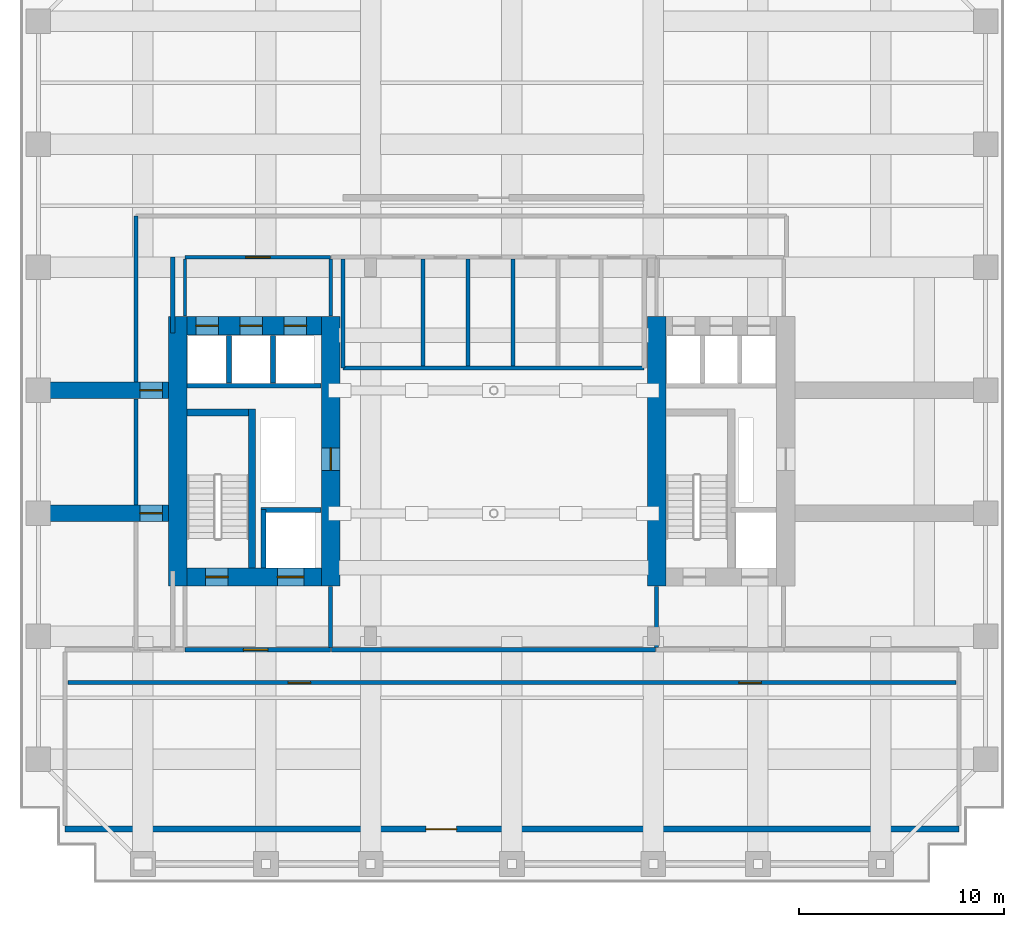
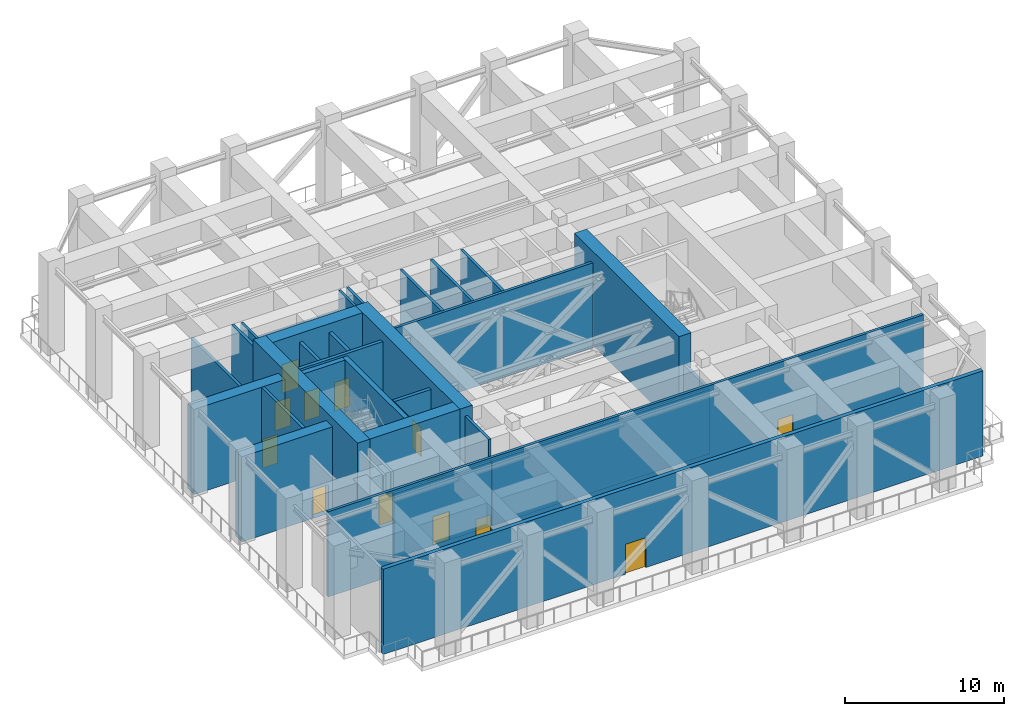
# One storey, part 4 of 10: 31 walls, 13 doors, 13 openings.
"""IFC4 building model written with IfcOpenShell, lengths in metres."""

import ifcopenshell
import ifcopenshell.guid

model = None  # the IFC model being written
_history = None  # IfcOwnerHistory: only IFC2X3 demands one
_inside = {}  # id of a spatial element -> (the spatial element, [elements in it])
_under = {}  # id of a project, library or spatial element -> (it, [spatial elements below it])
_declared = {}  # id of a project -> (the project, [libraries it declares])
_typed = {}  # id of a type object -> (the type object, [elements of that type])
_made_of = {}  # id of a material, layer set ... -> (it, [elements and type objects made of it])


def new_model(schema):
    """Start an empty IFC model of exactly this schema.

    Asked for "IFC4X3", IfcOpenShell would pick the latest addendum, in which some entities
    have other attributes; the version numbers below select the first issue.
    IFC2X3 requires an IfcOwnerHistory on every rooted entity: one is made here for all.
    """
    global model, _history
    if schema == "IFC4X3":
        model = ifcopenshell.file(schema_version=(4, 3, 0, 0))
    else:
        model = ifcopenshell.file(schema=schema)
    _inside.clear()
    _under.clear()
    _declared.clear()
    _typed.clear()
    _made_of.clear()
    _history = None
    if model.schema == "IFC2X3":
        org = make("IfcOrganization", Name="unknown")
        user = make(
            "IfcPersonAndOrganization",
            ThePerson=make("IfcPerson", FamilyName="unknown"),
            TheOrganization=org,
        )
        app = make(
            "IfcApplication",
            ApplicationDeveloper=org,
            Version="unknown",
            ApplicationFullName="unknown",
            ApplicationIdentifier="unknown",
        )
        _history = make(
            "IfcOwnerHistory",
            OwningUser=user,
            OwningApplication=app,
            ChangeAction="ADDED",
            CreationDate=0,
        )
    return model


def make(cls, **values):
    """One entity of the class cls with the attributes given. An attribute that is None is left unset."""
    return model.create_entity(
        cls, **{name: value for name, value in values.items() if value is not None}
    )


def rooted(cls, **values):
    """An entity with a GlobalId (a new one), such as an element, a storey or a relation."""
    return make(cls, GlobalId=ifcopenshell.guid.new(), OwnerHistory=_history, **values)


def si_unit(unit_type, name, prefix=None):
    """IfcSIUnit, for example si_unit("LENGTHUNIT", "METRE", prefix="MILLI")."""
    return make("IfcSIUnit", UnitType=unit_type, Prefix=prefix, Name=name)


def assignment(units):
    """IfcUnitAssignment: the units of a project."""
    return None if units is None else make("IfcUnitAssignment", Units=units)


def point(xyz):
    """IfcCartesianPoint."""
    return None if xyz is None else make("IfcCartesianPoint", Coordinates=xyz)


def direction(xyz):
    """IfcDirection."""
    return None if xyz is None else make("IfcDirection", DirectionRatios=xyz)


def frame(location, z_axis=None, x_axis=None):
    """IfcAxis2Placement3D, a coordinate frame: its origin and axes. An axis left out is left unset."""
    return make(
        "IfcAxis2Placement3D",
        Location=point(location),
        Axis=direction(z_axis),
        RefDirection=direction(x_axis),
    )


def frame_2d(location, x_axis=None):
    """IfcAxis2Placement2D, a coordinate frame in the plane: its origin and x axis."""
    return make(
        "IfcAxis2Placement2D", Location=point(location), RefDirection=direction(x_axis)
    )


def origin():
    """The frame at (0, 0, 0) with its axes left unset."""
    return frame((0.0, 0.0, 0.0))


def place(relative_to, where):
    """IfcLocalPlacement: puts the frame where relative to a parent placement (None: the world)."""
    return make(
        "IfcLocalPlacement", PlacementRelTo=relative_to, RelativePlacement=where
    )


def context(
    kind, dimensions, precision=None, world=None, true_north=None, identifier=None
):
    """IfcGeometricRepresentationContext, for example the 3D "Model" context."""
    return make(
        "IfcGeometricRepresentationContext",
        ContextIdentifier=identifier,
        ContextType=kind,
        CoordinateSpaceDimension=dimensions,
        Precision=precision,
        WorldCoordinateSystem=world,
        TrueNorth=true_north,
    )


def subcontext(parent, identifier, kind, view, scale=None):
    """IfcGeometricRepresentationSubContext, for example "Body" below "Model"."""
    return make(
        "IfcGeometricRepresentationSubContext",
        ContextIdentifier=identifier,
        ContextType=kind,
        ParentContext=parent,
        TargetScale=scale,
        TargetView=view,
    )


def project(units=None, contexts=None):
    """IfcProject with its units and contexts."""
    return rooted(
        "IfcProject",
        Name="project",
        RepresentationContexts=contexts,
        UnitsInContext=assignment(units),
    )


def spatial(cls, under=None, at=None, **own):
    """A site, building, storey or space (cls), placed at a placement, below another one or the project."""
    s = rooted(cls, ObjectPlacement=at, **own)
    if under is not None:
        _under.setdefault(under.id(), (under, []))[1].append(s)
    return s


def profile(cls, at=None, kind="AREA", **sizes):
    """A parametric profile (cls). Its sizes go by their IFC names, for example OverallWidth=200.0."""
    return make(cls, ProfileType=kind, Position=at, **sizes)


def rectangle(**sizes):
    """IfcRectangleProfileDef."""
    return profile("IfcRectangleProfileDef", **sizes)


def extrude(swept, where, along, depth):
    """IfcExtrudedAreaSolid: the profile swept, set in the frame where, extruded along a direction by depth."""
    return make(
        "IfcExtrudedAreaSolid",
        SweptArea=swept,
        Position=where,
        ExtrudedDirection=direction(along),
        Depth=depth,
    )


def shape(context_of_items, identifier, shape_type, items):
    """IfcShapeRepresentation: the items that make up one representation, for example the "Body"."""
    return make(
        "IfcShapeRepresentation",
        ContextOfItems=context_of_items,
        RepresentationIdentifier=identifier,
        RepresentationType=shape_type,
        Items=items,
    )


def source(mapping_origin, context_of_items, identifier, shape_type, items):
    """IfcRepresentationMap: a shape defined once, which mapped items show again and again."""
    return make(
        "IfcRepresentationMap",
        MappingOrigin=mapping_origin,
        MappedRepresentation=shape(context_of_items, identifier, shape_type, items),
    )


def transform(
    local_origin,
    x_axis=None,
    y_axis=None,
    z_axis=None,
    scale=None,
    scale2=None,
    scale3=None,
    uniform=True,
):
    """IfcCartesianTransformationOperator3D, or its non-uniform kind. x_axis, y_axis, z_axis: its Axis1, 2, 3."""
    if uniform:
        return make(
            "IfcCartesianTransformationOperator3D",
            Axis1=direction(x_axis),
            Axis2=direction(y_axis),
            LocalOrigin=point(local_origin),
            Scale=scale,
            Axis3=direction(z_axis),
        )
    return make(
        "IfcCartesianTransformationOperator3DnonUniform",
        Axis1=direction(x_axis),
        Axis2=direction(y_axis),
        LocalOrigin=point(local_origin),
        Scale=scale,
        Axis3=direction(z_axis),
        Scale2=scale2,
        Scale3=scale3,
    )


def mapped(mapping_source, mapping_target):
    """IfcMappedItem: shows the shape of a source again, moved by a transform."""
    return make(
        "IfcMappedItem", MappingSource=mapping_source, MappingTarget=mapping_target
    )


def material(Name=None, Category=None):
    """IfcMaterial."""
    return make("IfcMaterial", Name=Name, Category=Category)


def layer(
    of_material, thickness, ventilated=None, Name=None, Category=None, Priority=None
):
    """IfcMaterialLayer: one layer of a wall or slab, of a material (None: an air gap)."""
    return make(
        "IfcMaterialLayer",
        Material=of_material,
        LayerThickness=thickness,
        IsVentilated=ventilated,
        Name=Name,
        Category=Category,
        Priority=Priority,
    )


def layer_set(layers, Name=None):
    """IfcMaterialLayerSet."""
    return make("IfcMaterialLayerSet", MaterialLayers=layers, LayerSetName=Name)


def made_of(thing, what):
    """Note that an element or type object is made of a material, layer set ...; save() writes the relation."""
    if what is not None:
        _made_of.setdefault(what.id(), (what, []))[1].append(thing)
    return thing


def type_object(cls, material=None, **own):
    """A type object (cls), such as IfcWallType, which elements share."""
    return made_of(rooted(cls, **own), material)


def element(
    cls,
    number,
    at=None,
    inside=None,
    cuts=None,
    type_object=None,
    material=None,
    context=None,
    identifier="Body",
    shape_type=None,
    held_by="IfcProductDefinitionShape",
    body=None,
    shapes=None,
    **own,
):
    """One element of the class cls, such as IfcWall. Its Tag is "e" and its number.

    at: its placement. inside: the storey or other place that contains it. cuts: it is an
    opening in that element (IfcRelVoidsElement). A single representation is given by context,
    identifier, shape_type and body (its items); several are given by shapes. held_by: the class
    of the entity that holds the representations. save() writes the other relations.
    """
    e = rooted(cls, Tag="e%d" % number, ObjectPlacement=at, **own)
    if body is not None:
        shapes = [shape(context, identifier, shape_type, body)]
    if shapes is not None:
        e.Representation = make(held_by, Representations=shapes)
    if inside is not None:
        _inside.setdefault(inside.id(), (inside, []))[1].append(e)
    if cuts is not None:
        rooted(
            "IfcRelVoidsElement", RelatingBuildingElement=cuts, RelatedOpeningElement=e
        )
    if type_object is not None:
        _typed.setdefault(type_object.id(), (type_object, []))[1].append(e)
    return made_of(e, material)


def fill(opening, filler):
    """IfcRelFillsElement: the door or window that sits in an opening."""
    return rooted(
        "IfcRelFillsElement",
        RelatingOpeningElement=opening,
        RelatedBuildingElement=filler,
    )


def aggregate(whole, parts):
    """IfcRelAggregates: a whole, such as a stair, and the parts it consists of."""
    return rooted("IfcRelAggregates", RelatingObject=whole, RelatedObjects=parts)


def save(model, path):
    """Write the relations noted so far, then the file.

    IfcRelAggregates (storeys below a building ...), IfcRelContainedInSpatialStructure (elements
    in a storey), IfcRelDefinesByType, IfcRelAssociatesMaterial and IfcRelDeclares: one each for
    every whole, place, type object, material and project.
    """
    for whole, parts in _under.values():
        aggregate(whole, parts)
    for where, things in _inside.values():
        rooted(
            "IfcRelContainedInSpatialStructure",
            RelatedElements=things,
            RelatingStructure=where,
        )
    for kind, things in _typed.values():
        rooted("IfcRelDefinesByType", RelatedObjects=things, RelatingType=kind)
    for what, things in _made_of.values():
        rooted("IfcRelAssociatesMaterial", RelatedObjects=things, RelatingMaterial=what)
    for by, libraries in _declared.values():
        rooted("IfcRelDeclares", RelatingContext=by, RelatedDefinitions=libraries)
    model.write(path)


model = new_model("IFC4")

# Units and contexts
model_context = context("Model", 3, precision=1e-05, world=origin(), true_north=direction((0.0, 1.0)))
body_context = subcontext(model_context, "Body", "Model", "MODEL_VIEW")
ifc_project = project(units=[si_unit("LENGTHUNIT", "METRE"), si_unit("AREAUNIT", "SQUARE_METRE"), si_unit("VOLUMEUNIT", "CUBIC_METRE"), si_unit("PLANEANGLEUNIT", "RADIAN"), si_unit("MASSUNIT", "GRAM", prefix="KILO")], contexts=[model_context])

# Site, building, storey
site_placement = place(None, origin())
site = spatial("IfcSite", under=ifc_project, at=site_placement, CompositionType="ELEMENT")
building_placement = place(site_placement, origin())
building = spatial("IfcBuilding", under=site, at=building_placement, Name="Khoralis Quay Care Tower", CompositionType="ELEMENT")
storey_placement = place(building_placement, frame((0.0, 0.0, 76.5)))
storey = spatial("IfcBuildingStorey", under=building, at=storey_placement, Name="L20", CompositionType="ELEMENT", Elevation=76.5)

# Wall, opening, door
ifc_material_1 = material(Name="Gypsum plasterboard on acoustic metal stud")
ifc_layer_1 = layer(ifc_material_1, 0.199951171875)
ifc_layer_set_1 = layer_set([ifc_layer_1], Name="Gypsum plasterboard on acoustic metal stud")
wall_type_1 = type_object("IfcWallType", Name="WL-COMP-200", PredefinedType="PARTITIONING", material=ifc_layer_set_1)
wall_1_placement = place(storey_placement, frame((8.050048828125, 11.35009765625, 0.0), z_axis=(0.0, 0.0, 1.0), x_axis=(1.0, 0.0, 0.0)))
wall_1 = element("IfcWall", 1, at=wall_1_placement, inside=storey, type_object=wall_type_1, Name="L20 West Firefighting Lobby South Wall", PredefinedType="PARTITIONING", context=body_context, shape_type="SweptSolid", body=[
    extrude(rectangle(XDim=7.099853515625, YDim=0.199951171875, at=frame_2d((3.5498046875, 0.0))), origin(), (0.0, 0.0, 1.0), 4.949951171875),
])
opening_1_placement = place(wall_1_placement, frame((2.846435546875, 0.0, 0.0)))
opening_1 = element("IfcOpeningElement", 2, at=opening_1_placement, cuts=wall_1, Name="Opening FD1", PredefinedType="OPENING", context=body_context, shape_type="SweptSolid", body=[
    extrude(rectangle(XDim=1.199951171875, YDim=2.199951171875, at=frame_2d((0.60009765625, 1.10009765625))), frame((0.0, 0.10986328125, 0.0), z_axis=(0.0, -1.0, 0.0), x_axis=(1.0, 0.0, 0.0)), (0.0, 0.0, 1.0), 0.219970703125),
])
ifc_material_2 = material(Name="Fire-rated painted steel", Category="steel")
door_type_1 = type_object("IfcDoorType", Name="DR-FFL-1200X2200", OperationType="NOTDEFINED", PredefinedType="DOOR", material=ifc_material_2)
shared_shape_1 = source(origin(), body_context, "Body", "SweptSolid", [
    extrude(rectangle(XDim=1.199951171875, YDim=2.199951171875, at=frame_2d((0.60009765625, 1.10009765625))), frame((0.0, 0.02490234375, 0.0), z_axis=(0.0, -1.0, 0.0), x_axis=(1.0, 0.0, 0.0)), (0.0, 0.0, 1.0), 0.050048828125),
])
door_1_placement = place(opening_1_placement, origin())
door_1 = element("IfcDoor", 3, at=door_1_placement, inside=storey, type_object=door_type_1, Name="L20 West Firefighting Lobby Fire Door", OperationType="SINGLE_SWING_RIGHT", OverallHeight=2.199951171875, OverallWidth=1.199951171875, PredefinedType="DOOR", context=body_context, shape_type="MappedRepresentation", body=[
    mapped(shared_shape_1, transform((0.0, 0.0, 0.0), scale=1.0)),
])
fill(opening_1, door_1)

# Walls
wall_2_placement = place(storey_placement, frame((15.14990234375, 11.469970703125, 0.0), z_axis=(0.0, 0.0, 1.0), x_axis=(0.0, 1.0, 0.0)))
element("IfcWall", 4, at=wall_2_placement, inside=storey, type_object=wall_type_1, Name="L20 West Firefighting Lobby East Wall", PredefinedType="PARTITIONING", context=body_context, shape_type="SweptSolid", body=[
    extrude(rectangle(XDim=2.9599609375, YDim=0.199951171875, at=frame_2d((1.47998046875, 0.0))), origin(), (0.0, 0.0, 1.0), 6.550048828125),
])
wall_3_placement = place(storey_placement, frame((31.050048828125, 11.469970703125, 0.0), z_axis=(0.0, 0.0, 1.0), x_axis=(0.0, 1.0, 0.0)))
element("IfcWall", 5, at=wall_3_placement, inside=storey, type_object=wall_type_1, Name="L20 East Firefighting Lobby West Wall", PredefinedType="PARTITIONING", context=body_context, shape_type="SweptSolid", body=[
    extrude(rectangle(XDim=2.9599609375, YDim=0.199951171875, at=frame_2d((1.47998046875, 0.0))), origin(), (0.0, 0.0, 1.0), 4.949951171875),
])
wall_4_placement = place(storey_placement, frame((15.199951171875, 11.35009765625, 0.0), z_axis=(0.0, 0.0, 1.0), x_axis=(1.0, 0.0, 0.0)))
element("IfcWall", 6, at=wall_4_placement, inside=storey, type_object=wall_type_1, Name="L20 Refuge Corridor Mid Wall", PredefinedType="PARTITIONING", context=body_context, shape_type="SweptSolid", body=[
    extrude(rectangle(XDim=15.800048828125, YDim=0.199951171875, at=frame_2d((7.89990234375, 0.0))), origin(), (0.0, 0.0, 1.0), 4.949951171875),
])

# Wall, openings, doors
wall_5_placement = place(storey_placement, frame((2.35009765625, 9.75, 0.0), z_axis=(0.0, 0.0, 1.0), x_axis=(1.0, 0.0, 0.0)))
wall_5 = element("IfcWall", 7, at=wall_5_placement, inside=storey, type_object=wall_type_1, Name="L20 Refuge Corridor Wall", PredefinedType="PARTITIONING", context=body_context, shape_type="SweptSolid", body=[
    extrude(rectangle(XDim=43.2998046875, YDim=0.199951171875, at=frame_2d((21.64990234375, 0.0))), origin(), (0.0, 0.0, 1.0), 6.550048828125),
])
opening_2_placement = place(wall_5_placement, frame((10.72998046875, 0.0, 0.0)))
opening_2 = element("IfcOpeningElement", 8, at=opening_2_placement, cuts=wall_5, Name="Opening SD1", PredefinedType="OPENING", context=body_context, shape_type="SweptSolid", body=[
    extrude(rectangle(XDim=1.10009765625, YDim=2.199951171875, at=frame_2d((0.550048828125, 1.10009765625))), frame((0.0, 0.10986328125, 0.0), z_axis=(0.0, -1.0, 0.0), x_axis=(1.0, 0.0, 0.0)), (0.0, 0.0, 1.0), 0.219970703125),
])
opening_3_placement = place(wall_5_placement, frame((32.71435546875, 0.0, 0.0)))
opening_3 = element("IfcOpeningElement", 9, at=opening_3_placement, cuts=wall_5, Name="Opening SD1", PredefinedType="OPENING", context=body_context, shape_type="SweptSolid", body=[
    extrude(rectangle(XDim=1.10009765625, YDim=2.199951171875, at=frame_2d((0.550048828125, 1.10009765625))), frame((0.0, 0.10986328125, 0.0), z_axis=(0.0, -1.0, 0.0), x_axis=(1.0, 0.0, 0.0)), (0.0, 0.0, 1.0), 0.219970703125),
])
door_type_2 = type_object("IfcDoorType", Name="DR-STAIR-1100X2200", OperationType="NOTDEFINED", PredefinedType="DOOR", material=ifc_material_2)
shared_shape_2 = source(origin(), body_context, "Body", "SweptSolid", [
    extrude(rectangle(XDim=1.10009765625, YDim=2.199951171875, at=frame_2d((0.550048828125, 1.10009765625))), frame((0.0, 0.02490234375, 0.0), z_axis=(0.0, -1.0, 0.0), x_axis=(1.0, 0.0, 0.0)), (0.0, 0.0, 1.0), 0.050048828125),
])
door_2_placement = place(opening_2_placement, frame((1.10009765625, 0.0, 0.0), z_axis=(0.0, 0.0, 1.0), x_axis=(-1.0, 0.0, 0.0)))
door_2 = element("IfcDoor", 10, at=door_2_placement, inside=storey, type_object=door_type_2, Name="L20 Refuge Area West Fire Door", OperationType="SINGLE_SWING_LEFT", OverallHeight=2.199951171875, OverallWidth=1.10009765625, PredefinedType="DOOR", context=body_context, shape_type="MappedRepresentation", body=[
    mapped(shared_shape_2, transform((0.0, 0.0, 0.0), scale=1.0)),
])
fill(opening_2, door_2)
door_3_placement = place(opening_3_placement, frame((1.10009765625, 0.0, 0.0), z_axis=(0.0, 0.0, 1.0), x_axis=(-1.0, 0.0, 0.0)))
door_3 = element("IfcDoor", 11, at=door_3_placement, inside=storey, type_object=door_type_2, Name="L20 Refuge Area East Fire Door", OperationType="SINGLE_SWING_RIGHT", OverallHeight=2.199951171875, OverallWidth=1.10009765625, PredefinedType="DOOR", context=body_context, shape_type="MappedRepresentation", body=[
    mapped(shared_shape_2, transform((0.0, 0.0, 0.0), scale=1.0)),
])
fill(opening_3, door_3)

# Walls
wall_6_placement = place(storey_placement, frame((15.75, 25.10009765625, 0.0), z_axis=(0.0, 0.0, 1.0), x_axis=(1.0, 0.0, 0.0)))
element("IfcWall", 12, at=wall_6_placement, inside=storey, type_object=wall_type_1, Name="L20 Plant Bank South Wall", PredefinedType="PARTITIONING", context=body_context, shape_type="SweptSolid", body=[
    extrude(rectangle(XDim=14.699951171875, YDim=0.199951171875, at=frame_2d((7.35009765625, 0.0))), origin(), (0.0, 0.0, 1.0), 6.550048828125),
])
wall_7_placement = place(storey_placement, frame((15.75, 25.10009765625, 0.0), z_axis=(0.0, 0.0, 1.0), x_axis=(0.0, 1.0, 0.0)))
element("IfcWall", 13, at=wall_7_placement, inside=storey, type_object=wall_type_1, Name="L20 Plant Bank West Wall", PredefinedType="PARTITIONING", context=body_context, shape_type="SweptSolid", body=[
    extrude(rectangle(XDim=5.31982421875, YDim=0.199951171875, at=frame_2d((2.659912109375, 0.0))), origin(), (0.0, 0.0, 1.0), 6.550048828125),
])
for number, where, z_axis, x_axis, name in (
    (14, (19.64990234375, 25.179931640625, 0.0), (0.0, 0.0, 1.0), (0.0, 1.0, 0.0), "L20 Plant Room Divider 1"),
    (15, (21.85009765625, 25.179931640625, 0.0), (0.0, 0.0, 1.0), (0.0, 1.0, 0.0), "L20 Plant Room Divider 2"),
    (16, (24.050048828125, 25.179931640625, 0.0), (0.0, 0.0, 1.0), (0.0, 1.0, 0.0), "L20 Plant Room Divider 3"),
):
    element("IfcWall", number, at=place(storey_placement, frame(where, z_axis=z_axis, x_axis=x_axis)), inside=storey, type_object=wall_type_1, Name=name, PredefinedType="PARTITIONING", context=body_context, shape_type="SweptSolid", body=[
        extrude(rectangle(XDim=5.239990234375, YDim=0.199951171875, at=frame_2d((2.6201171875, 0.0))), origin(), (0.0, 0.0, 1.0), 6.550048828125),
    ])
wall_8_placement = place(storey_placement, frame((5.64990234375, 18.419921875, 0.0), z_axis=(0.0, 0.0, 1.0), x_axis=(0.0, 1.0, 0.0)))
element("IfcWall", 17, at=wall_8_placement, inside=storey, type_object=wall_type_1, Name="L20 West Refuge Link Wall 2", PredefinedType="PARTITIONING", context=body_context, shape_type="SweptSolid", body=[
    extrude(rectangle(XDim=5.16015625, YDim=0.199951171875, at=frame_2d((2.580078125, 0.0))), origin(), (0.0, 0.0, 1.0), 6.550048828125),
])
wall_9_placement = place(storey_placement, frame((5.64990234375, 24.419921875, 0.0), z_axis=(0.0, 0.0, 1.0), x_axis=(0.0, 1.0, 0.0)))
element("IfcWall", 18, at=wall_9_placement, inside=storey, type_object=wall_type_1, Name="L20 West Refuge Link Wall 3", PredefinedType="PARTITIONING", context=body_context, shape_type="SweptSolid", body=[
    extrude(rectangle(XDim=8.080078125, YDim=0.199951171875, at=frame_2d((4.0400390625, 0.0))), origin(), (0.0, 0.0, 1.0), 4.949951171875),
])
wall_10_placement = place(storey_placement, frame((7.449951171875, 26.800048828125, 0.0), z_axis=(0.0, 0.0, 1.0), x_axis=(0.0, 1.0, 0.0)))
element("IfcWall", 19, at=wall_10_placement, inside=storey, type_object=wall_type_1, Name="L20 West Refuge Link Inner Wall 3", PredefinedType="PARTITIONING", context=body_context, shape_type="SweptSolid", body=[
    extrude(rectangle(XDim=3.699951171875, YDim=0.199951171875, at=frame_2d((1.85009765625, 0.0))), origin(), (0.0, 0.0, 1.0), 6.550048828125),
])
ifc_material_3 = material(Name="Concrete C80/95", Category="concrete")
ifc_layer_2 = layer(ifc_material_3, 0.89990234375)
ifc_layer_set_2 = layer_set([ifc_layer_2], Name="Concrete C80/95")
wall_type_2 = type_object("IfcWallType", Name="WL-CORE-900", PredefinedType="SHEAR", material=ifc_layer_set_2)
wall_11_placement = place(storey_placement, frame((7.699951171875, 14.449951171875, 0.0), z_axis=(0.0, 0.0, 1.0), x_axis=(0.0, 1.0, 0.0)))
element("IfcWall", 20, at=wall_11_placement, inside=storey, type_object=wall_type_2, Name="L20 WCORE West Shear Wall", PredefinedType="SHEAR", context=body_context, shape_type="SweptSolid", body=[
    extrude(rectangle(XDim=13.150146484375, YDim=0.89990234375, at=frame_2d((6.5751953125, 0.0))), origin(), (0.0, 0.0, 1.0), 7.199951171875),
])

# Wall, opening, door
wall_12_placement = place(storey_placement, frame((15.14990234375, 14.449951171875, 0.0), z_axis=(0.0, 0.0, 1.0), x_axis=(0.0, 1.0, 0.0)))
wall_12 = element("IfcWall", 21, at=wall_12_placement, inside=storey, type_object=wall_type_2, Name="L20 WCORE East Shear Wall", PredefinedType="SHEAR", context=body_context, shape_type="SweptSolid", body=[
    extrude(rectangle(XDim=13.150146484375, YDim=0.89990234375, at=frame_2d((6.5751953125, 0.0))), origin(), (0.0, 0.0, 1.0), 7.199951171875),
])
opening_4_placement = place(wall_12_placement, frame((5.64990234375, 0.0, 0.0)))
opening_4 = element("IfcOpeningElement", 22, at=opening_4_placement, cuts=wall_12, Name="Opening SD1", PredefinedType="OPENING", context=body_context, shape_type="SweptSolid", body=[
    extrude(rectangle(XDim=1.10009765625, YDim=2.199951171875, at=frame_2d((0.550048828125, 1.10009765625))), frame((0.0, 0.4599609375, 0.0), z_axis=(0.0, -1.0, 0.0), x_axis=(1.0, 0.0, 0.0)), (0.0, 0.0, 1.0), 0.919921875),
])
door_4_placement = place(opening_4_placement, origin())
door_4 = element("IfcDoor", 23, at=door_4_placement, inside=storey, type_object=door_type_2, Name="L20 West MEP Riser Door", OperationType="SINGLE_SWING_RIGHT", OverallHeight=2.199951171875, OverallWidth=1.10009765625, PredefinedType="DOOR", context=body_context, shape_type="MappedRepresentation", body=[
    mapped(shared_shape_2, transform((0.0, 0.0, 0.0), scale=1.0)),
])
fill(opening_4, door_4)

# Wall, openings, doors
wall_13_placement = place(storey_placement, frame((8.14990234375, 14.89990234375, 0.0), z_axis=(0.0, 0.0, 1.0), x_axis=(1.0, 0.0, 0.0)))
wall_13 = element("IfcWall", 24, at=wall_13_placement, inside=storey, type_object=wall_type_2, Name="L20 WCORE South Shear Wall", PredefinedType="SHEAR", context=body_context, shape_type="SweptSolid", body=[
    extrude(rectangle(XDim=6.550048828125, YDim=0.89990234375, at=frame_2d((3.27490234375, 0.0))), origin(), (0.0, 0.0, 1.0), 7.199951171875),
])
opening_5_placement = place(wall_13_placement, frame((0.89990234375, 0.0, 0.0)))
opening_5 = element("IfcOpeningElement", 25, at=opening_5_placement, cuts=wall_13, Name="Opening SD1", PredefinedType="OPENING", context=body_context, shape_type="SweptSolid", body=[
    extrude(rectangle(XDim=1.10009765625, YDim=2.199951171875, at=frame_2d((0.550048828125, 1.10009765625))), frame((0.0, 0.4599609375, 0.0), z_axis=(0.0, -1.0, 0.0), x_axis=(1.0, 0.0, 0.0)), (0.0, 0.0, 1.0), 0.919921875),
])
opening_6_placement = place(wall_13_placement, frame((4.39990234375, 0.0, 0.0)))
opening_6 = element("IfcOpeningElement", 26, at=opening_6_placement, cuts=wall_13, Name="Opening LD2", PredefinedType="OPENING", context=body_context, shape_type="SweptSolid", body=[
    extrude(rectangle(XDim=1.300048828125, YDim=2.199951171875, at=frame_2d((0.64990234375, 1.10009765625))), frame((0.0, 0.4599609375, 0.0), z_axis=(0.0, -1.0, 0.0), x_axis=(1.0, 0.0, 0.0)), (0.0, 0.0, 1.0), 0.919921875),
])
door_5_placement = place(opening_5_placement, origin())
door_5 = element("IfcDoor", 27, at=door_5_placement, inside=storey, type_object=door_type_2, Name="L20 Stair ST-T1 Fire Door", OperationType="SINGLE_SWING_RIGHT", OverallHeight=2.199951171875, OverallWidth=1.10009765625, PredefinedType="DOOR", context=body_context, shape_type="MappedRepresentation", body=[
    mapped(shared_shape_2, transform((0.0, 0.0, 0.0), scale=1.0)),
])
fill(opening_5, door_5)
ifc_material_4 = material(Name="Brushed stainless steel", Category="steel")
door_type_3 = type_object("IfcDoorType", Name="DR-LIFT-1300X2200", OperationType="SLIDING_TO_RIGHT", PredefinedType="DOOR", material=ifc_material_4)
shared_shape_3 = source(origin(), body_context, "Body", "SweptSolid", [
    extrude(rectangle(XDim=1.300048828125, YDim=2.199951171875, at=frame_2d((0.64990234375, 1.10009765625))), frame((0.0, 0.02490234375, 0.0), z_axis=(0.0, -1.0, 0.0), x_axis=(1.0, 0.0, 0.0)), (0.0, 0.0, 1.0), 0.050048828125),
])
door_6_placement = place(opening_6_placement, origin())
door_6 = element("IfcDoor", 28, at=door_6_placement, inside=storey, type_object=door_type_3, Name="L20 Firefighting Lift FFL-1 Landing Door", OperationType="SLIDING_TO_RIGHT", OverallHeight=2.199951171875, OverallWidth=1.300048828125, PredefinedType="DOOR", context=body_context, shape_type="MappedRepresentation", body=[
    mapped(shared_shape_3, transform((0.0, 0.0, 0.0), scale=1.0)),
])
fill(opening_6, door_6)

wall_14_placement = place(storey_placement, frame((8.14990234375, 27.14990234375, 0.0), z_axis=(0.0, 0.0, 1.0), x_axis=(1.0, 0.0, 0.0)))
wall_14 = element("IfcWall", 29, at=wall_14_placement, inside=storey, type_object=wall_type_2, Name="L20 WCORE North Shear Wall", PredefinedType="SHEAR", context=body_context, shape_type="SweptSolid", body=[
    extrude(rectangle(XDim=6.550048828125, YDim=0.89990234375, at=frame_2d((3.27490234375, 0.0))), origin(), (0.0, 0.0, 1.0), 7.199951171875),
])
opening_7_placement = place(wall_14_placement, frame((0.429931640625, 0.0, 0.0)))
opening_7 = element("IfcOpeningElement", 30, at=opening_7_placement, cuts=wall_14, Name="Opening LD1", PredefinedType="OPENING", context=body_context, shape_type="SweptSolid", body=[
    extrude(rectangle(XDim=1.10009765625, YDim=2.199951171875, at=frame_2d((0.550048828125, 1.10009765625))), frame((0.0, 0.4599609375, 0.0), z_axis=(0.0, -1.0, 0.0), x_axis=(1.0, 0.0, 0.0)), (0.0, 0.0, 1.0), 0.919921875),
])
opening_8_placement = place(wall_14_placement, frame((2.570068359375, 0.0, 0.0)))
opening_8 = element("IfcOpeningElement", 31, at=opening_8_placement, cuts=wall_14, Name="Opening LD1", PredefinedType="OPENING", context=body_context, shape_type="SweptSolid", body=[
    extrude(rectangle(XDim=1.10009765625, YDim=2.199951171875, at=frame_2d((0.550048828125, 1.10009765625))), frame((0.0, 0.4599609375, 0.0), z_axis=(0.0, -1.0, 0.0), x_axis=(1.0, 0.0, 0.0)), (0.0, 0.0, 1.0), 0.919921875),
])
opening_9_placement = place(wall_14_placement, frame((4.72998046875, 0.0, 0.0)))
opening_9 = element("IfcOpeningElement", 32, at=opening_9_placement, cuts=wall_14, Name="Opening LD1", PredefinedType="OPENING", context=body_context, shape_type="SweptSolid", body=[
    extrude(rectangle(XDim=1.10009765625, YDim=2.199951171875, at=frame_2d((0.550048828125, 1.10009765625))), frame((0.0, 0.4599609375, 0.0), z_axis=(0.0, -1.0, 0.0), x_axis=(1.0, 0.0, 0.0)), (0.0, 0.0, 1.0), 0.919921875),
])
door_type_4 = type_object("IfcDoorType", Name="DR-LIFT-1100X2200", OperationType="SLIDING_TO_LEFT", PredefinedType="DOOR", material=ifc_material_4)
shared_shape_4 = source(origin(), body_context, "Body", "SweptSolid", [
    extrude(rectangle(XDim=1.10009765625, YDim=2.199951171875, at=frame_2d((0.550048828125, 1.10009765625))), frame((0.0, 0.02490234375, 0.0), z_axis=(0.0, -1.0, 0.0), x_axis=(1.0, 0.0, 0.0)), (0.0, 0.0, 1.0), 0.050048828125),
])
door_7_placement = place(opening_7_placement, origin())
door_7 = element("IfcDoor", 33, at=door_7_placement, inside=storey, type_object=door_type_4, Name="L20 Lift PLL1 Landing Door", OperationType="SLIDING_TO_LEFT", OverallHeight=2.199951171875, OverallWidth=1.10009765625, PredefinedType="DOOR", context=body_context, shape_type="MappedRepresentation", body=[
    mapped(shared_shape_4, transform((0.0, 0.0, 0.0), scale=1.0)),
])
fill(opening_7, door_7)
door_8_placement = place(opening_8_placement, origin())
door_8 = element("IfcDoor", 34, at=door_8_placement, inside=storey, type_object=door_type_4, Name="L20 Lift PLM1 Landing Door", OperationType="SLIDING_TO_LEFT", OverallHeight=2.199951171875, OverallWidth=1.10009765625, PredefinedType="DOOR", context=body_context, shape_type="MappedRepresentation", body=[
    mapped(shared_shape_4, transform((0.0, 0.0, 0.0), scale=1.0)),
])
fill(opening_8, door_8)
door_9_placement = place(opening_9_placement, origin())
door_9 = element("IfcDoor", 35, at=door_9_placement, inside=storey, type_object=door_type_4, Name="L20 Lift PLH1 Landing Door", OperationType="SLIDING_TO_LEFT", OverallHeight=2.199951171875, OverallWidth=1.10009765625, PredefinedType="DOOR", context=body_context, shape_type="MappedRepresentation", body=[
    mapped(shared_shape_4, transform((0.0, 0.0, 0.0), scale=1.0)),
])
fill(opening_9, door_9)

# Wall
wall_15_placement = place(storey_placement, frame((31.070068359375, 14.449951171875, 0.0), z_axis=(0.0, 0.0, 1.0), x_axis=(0.0, 1.0, 0.0)))
element("IfcWall", 36, at=wall_15_placement, inside=storey, type_object=wall_type_2, Name="L20 ECORE West Shear Wall", PredefinedType="SHEAR", context=body_context, shape_type="SweptSolid", body=[
    extrude(rectangle(XDim=13.150146484375, YDim=0.89990234375, at=frame_2d((6.5751953125, 0.0))), origin(), (0.0, 0.0, 1.0), 7.199951171875),
])

# Wall, opening, door
ifc_layer_3 = layer(ifc_material_1, 0.1650390625)
ifc_layer_set_3 = layer_set([ifc_layer_3], Name="Gypsum plasterboard on acoustic metal stud")
wall_type_3 = type_object("IfcWallType", Name="WL-CORR-165", PredefinedType="PARTITIONING", material=ifc_layer_set_3)
wall_16_placement = place(storey_placement, frame((8.050048828125, 30.5, 0.0), z_axis=(0.0, 0.0, 1.0), x_axis=(1.0, 0.0, 0.0)))
wall_16 = element("IfcWall", 37, at=wall_16_placement, inside=storey, type_object=wall_type_3, Name="L20 West Lift Lobby North Wall", PredefinedType="PARTITIONING", context=body_context, shape_type="SweptSolid", body=[
    extrude(rectangle(XDim=7.099853515625, YDim=0.1650390625, at=frame_2d((3.5498046875, 0.0))), origin(), (0.0, 0.0, 1.0), 4.949951171875),
])
opening_10_placement = place(wall_16_placement, frame((2.949951171875, 0.0, 0.0)))
opening_10 = element("IfcOpeningElement", 38, at=opening_10_placement, cuts=wall_16, Name="Opening FD1", PredefinedType="OPENING", context=body_context, shape_type="SweptSolid", body=[
    extrude(rectangle(XDim=1.199951171875, YDim=2.199951171875, at=frame_2d((0.60009765625, 1.10009765625))), frame((0.0, 0.092529296875, 0.0), z_axis=(0.0, -1.0, 0.0), x_axis=(1.0, 0.0, 0.0)), (0.0, 0.0, 1.0), 0.18505859375),
])
door_10_placement = place(opening_10_placement, origin())
door_10 = element("IfcDoor", 39, at=door_10_placement, inside=storey, type_object=door_type_1, Name="L20 West Lift Lobby Double Door", OperationType="DOUBLE_DOOR_SINGLE_SWING", OverallHeight=2.199951171875, OverallWidth=1.199951171875, PredefinedType="DOOR", context=body_context, shape_type="MappedRepresentation", body=[
    mapped(shared_shape_1, transform((0.0, 0.0, 0.0), scale=1.0)),
])
fill(opening_10, door_10)

# Walls
for number, where, z_axis, x_axis, name in (
    (40, (8.050048828125, 27.6201171875, 0.0), (0.0, 0.0, 1.0), (0.0, 1.0, 0.0), "L20 West Lift Lobby West Wall"),
    (41, (15.14990234375, 27.6201171875, 0.0), (0.0, 0.0, 1.0), (0.0, 1.0, 0.0), "L20 West Lift Lobby East Wall"),
):
    element("IfcWall", number, at=place(storey_placement, frame(where, z_axis=z_axis, x_axis=x_axis)), inside=storey, type_object=wall_type_3, Name=name, PredefinedType="PARTITIONING", context=body_context, shape_type="SweptSolid", body=[
        extrude(rectangle(XDim=2.77978515625, YDim=0.1650390625, at=frame_2d((1.389892578125, 0.0))), origin(), (0.0, 0.0, 1.0), 6.550048828125),
    ])

# Wall, opening, door
ifc_material_5 = material(Name="Precast concrete C45/55", Category="concrete")
ifc_layer_4 = layer(ifc_material_5, 0.300048828125)
ifc_layer_set_4 = layer_set([ifc_layer_4], Name="Precast concrete C45/55")
wall_type_4 = type_object("IfcWallType", Name="WL-EXT-REF-300", PredefinedType="SOLIDWALL", material=ifc_layer_set_4)
wall_17_placement = place(storey_placement, frame((2.199951171875, 2.60009765625, 0.0), z_axis=(0.0, 0.0, 1.0), x_axis=(1.0, 0.0, 0.0)))
wall_17 = element("IfcWall", 42, at=wall_17_placement, inside=storey, type_object=wall_type_4, Name="L20 External Facade Wall WL-L20-REF-S", PredefinedType="SOLIDWALL", context=body_context, shape_type="SweptSolid", body=[
    extrude(rectangle(XDim=43.60009765625, YDim=0.300048828125, at=frame_2d((21.800048828125, 0.0))), origin(), (0.0, 0.0, 1.0), 6.550048828125),
])
opening_11_placement = place(wall_17_placement, frame((17.60009765625, 0.0, 0.0)))
opening_11 = element("IfcOpeningElement", 43, at=opening_11_placement, cuts=wall_17, Name="Opening TD1", PredefinedType="OPENING", context=body_context, shape_type="SweptSolid", body=[
    extrude(rectangle(XDim=1.5, YDim=2.300048828125, at=frame_2d((0.75, 1.14990234375))), frame((0.0, 0.16015625, 0.0), z_axis=(0.0, -1.0, 0.0), x_axis=(1.0, 0.0, 0.0)), (0.0, 0.0, 1.0), 0.320068359375),
])
ifc_material_6 = material(Name="Anodised aluminium and laminated safety glass", Category="aluminium")
door_type_5 = type_object("IfcDoorType", Name="DR-EXT-TERR-1500X2300", OperationType="NOTDEFINED", PredefinedType="DOOR", material=ifc_material_6)
shared_shape_5 = source(origin(), body_context, "Body", "SweptSolid", [
    extrude(rectangle(XDim=1.5, YDim=2.300048828125, at=frame_2d((0.75, 1.14990234375))), frame((0.0, 0.02490234375, 0.0), z_axis=(0.0, -1.0, 0.0), x_axis=(1.0, 0.0, 0.0)), (0.0, 0.0, 1.0), 0.050048828125),
])
door_11_placement = place(opening_11_placement, frame((1.5, 0.0, 0.0), z_axis=(0.0, 0.0, 1.0), x_axis=(-1.0, 0.0, 0.0)))
door_11 = element("IfcDoor", 44, at=door_11_placement, inside=storey, type_object=door_type_5, Name="L20 Wind-Slot Deck Door South", OperationType="DOUBLE_DOOR_SINGLE_SWING", OverallHeight=2.300048828125, OverallWidth=1.5, PredefinedType="DOOR", context=body_context, shape_type="MappedRepresentation", body=[
    mapped(shared_shape_5, transform((0.0, 0.0, 0.0), scale=1.0)),
])
fill(opening_11, door_11)

ifc_layer_5 = layer(ifc_material_3, 0.800048828125)
ifc_layer_set_5 = layer_set([ifc_layer_5], Name="Concrete C80/95")
wall_type_5 = type_object("IfcWallType", Name="WL-OUTRIGGER-800", PredefinedType="SOLIDWALL", material=ifc_layer_set_5)
wall_18_placement = place(storey_placement, frame((0.64990234375, 18.0, 0.0), z_axis=(0.0, 0.0, 1.0), x_axis=(1.0, 0.0, 0.0)))
wall_18 = element("IfcWall", 45, at=wall_18_placement, inside=storey, type_object=wall_type_5, Name="L20 West Outrigger Wall S", PredefinedType="SOLIDWALL", context=body_context, shape_type="SweptSolid", body=[
    extrude(rectangle(XDim=6.60009765625, YDim=0.800048828125, at=frame_2d((3.300048828125, 0.0))), origin(), (0.0, 0.0, 1.0), 6.550048828125),
])
opening_12_placement = place(wall_18_placement, frame((5.199951171875, 0.0, 0.0)))
opening_12 = element("IfcOpeningElement", 46, at=opening_12_placement, cuts=wall_18, Name="Opening SD1", PredefinedType="OPENING", context=body_context, shape_type="SweptSolid", body=[
    extrude(rectangle(XDim=1.10009765625, YDim=2.199951171875, at=frame_2d((0.550048828125, 1.10009765625))), frame((0.0, 0.41015625, 0.0), z_axis=(0.0, -1.0, 0.0), x_axis=(1.0, 0.0, 0.0)), (0.0, 0.0, 1.0), 0.820068359375),
])
door_12_placement = place(opening_12_placement, frame((1.10009765625, 0.0, 0.0), z_axis=(0.0, 0.0, 1.0), x_axis=(-1.0, 0.0, 0.0)))
door_12 = element("IfcDoor", 47, at=door_12_placement, inside=storey, type_object=door_type_2, Name="L20 West Outrigger South Egress Fire Door", OperationType="SINGLE_SWING_LEFT", OverallHeight=2.199951171875, OverallWidth=1.10009765625, PredefinedType="DOOR", context=body_context, shape_type="MappedRepresentation", body=[
    mapped(shared_shape_2, transform((0.0, 0.0, 0.0), scale=1.0)),
])
fill(opening_12, door_12)

wall_19_placement = place(storey_placement, frame((0.64990234375, 24.0, 0.0), z_axis=(0.0, 0.0, 1.0), x_axis=(1.0, 0.0, 0.0)))
wall_19 = element("IfcWall", 48, at=wall_19_placement, inside=storey, type_object=wall_type_5, Name="L20 West Outrigger Wall N", PredefinedType="SOLIDWALL", context=body_context, shape_type="SweptSolid", body=[
    extrude(rectangle(XDim=6.60009765625, YDim=0.800048828125, at=frame_2d((3.300048828125, 0.0))), origin(), (0.0, 0.0, 1.0), 6.550048828125),
])
opening_13_placement = place(wall_19_placement, frame((5.199951171875, 0.0, 0.0)))
opening_13 = element("IfcOpeningElement", 49, at=opening_13_placement, cuts=wall_19, Name="Opening SD1", PredefinedType="OPENING", context=body_context, shape_type="SweptSolid", body=[
    extrude(rectangle(XDim=1.10009765625, YDim=2.199951171875, at=frame_2d((0.550048828125, 1.10009765625))), frame((0.0, 0.41015625, 0.0), z_axis=(0.0, -1.0, 0.0), x_axis=(1.0, 0.0, 0.0)), (0.0, 0.0, 1.0), 0.820068359375),
])
door_13_placement = place(opening_13_placement, origin())
door_13 = element("IfcDoor", 50, at=door_13_placement, inside=storey, type_object=door_type_2, Name="L20 West Outrigger North Egress Fire Door", OperationType="SINGLE_SWING_RIGHT", OverallHeight=2.199951171875, OverallWidth=1.10009765625, PredefinedType="DOOR", context=body_context, shape_type="MappedRepresentation", body=[
    mapped(shared_shape_2, transform((0.0, 0.0, 0.0), scale=1.0)),
])
fill(opening_13, door_13)

# Walls
ifc_material_7 = material(Name="Concrete C40/50", Category="concrete")
ifc_layer_6 = layer(ifc_material_7, 0.35009765625)
ifc_layer_set_6 = layer_set([ifc_layer_6], Name="Concrete C40/50")
wall_type_6 = type_object("IfcWallType", Name="WL-SC-CORE-350", PredefinedType="SHEAR", material=ifc_layer_set_6)
wall_20_placement = place(storey_placement, frame((11.324951171875, 15.35009765625, 0.0), z_axis=(0.0, 0.0, 1.0), x_axis=(0.0, 1.0, 0.0)))
element("IfcWall", 51, at=wall_20_placement, inside=storey, type_object=wall_type_6, Name="L20 Stair ST-T1 Shear Baffle Wall East", PredefinedType="SHEAR", context=body_context, shape_type="SweptSolid", body=[
    extrude(rectangle(XDim=7.75, YDim=0.35009765625, at=frame_2d((3.875, 0.0))), origin(), (0.0, 0.0, 1.0), 7.199951171875),
])
wall_21_placement = place(storey_placement, frame((8.14990234375, 22.925048828125, 0.0), z_axis=(0.0, 0.0, 1.0), x_axis=(1.0, 0.0, 0.0)))
element("IfcWall", 52, at=wall_21_placement, inside=storey, type_object=wall_type_6, Name="L20 Stair ST-T1 Shear Baffle Wall North", PredefinedType="SHEAR", context=body_context, shape_type="SweptSolid", body=[
    extrude(rectangle(XDim=3.0, YDim=0.35009765625, at=frame_2d((1.5, 0.0))), origin(), (0.0, 0.0, 1.0), 7.199951171875),
])
ifc_layer_7 = layer(ifc_material_1, 0.239990234375)
ifc_layer_set_7 = layer_set([ifc_layer_7], Name="Gypsum plasterboard on acoustic metal stud")
wall_type_7 = type_object("IfcWallType", Name="WL-SHAFT-240", PredefinedType="PARTITIONING", material=ifc_layer_set_7)
wall_22_placement = place(storey_placement, frame((11.8798828125, 15.35009765625, 0.0), z_axis=(0.0, 0.0, 1.0), x_axis=(0.0, 1.0, 0.0)))
element("IfcWall", 53, at=wall_22_placement, inside=storey, type_object=wall_type_7, Name="L20 FFL-1 Shaft Wall West", PredefinedType="PARTITIONING", context=body_context, shape_type="SweptSolid", body=[
    extrude(rectangle(XDim=2.849853515625, YDim=0.239990234375, at=frame_2d((1.4248046875, 0.0))), origin(), (0.0, 0.0, 1.0), 6.550048828125),
])
wall_23_placement = place(storey_placement, frame((11.760009765625, 18.169921875, 0.0), z_axis=(0.0, 0.0, 1.0), x_axis=(1.0, 0.0, 0.0)))
element("IfcWall", 54, at=wall_23_placement, inside=storey, type_object=wall_type_7, Name="L20 FFL-1 Shaft Wall North", PredefinedType="PARTITIONING", context=body_context, shape_type="SweptSolid", body=[
    extrude(rectangle(XDim=2.919921875, YDim=0.239990234375, at=frame_2d((1.4599609375, 0.0))), origin(), (0.0, 0.0, 1.0), 6.550048828125),
])
wall_24_placement = place(storey_placement, frame((8.14990234375, 24.22998046875, 0.0), z_axis=(0.0, 0.0, 1.0), x_axis=(1.0, 0.0, 0.0)))
element("IfcWall", 55, at=wall_24_placement, inside=storey, type_object=wall_type_7, Name="L20 West Passenger Shaft South Wall", PredefinedType="PARTITIONING", context=body_context, shape_type="SweptSolid", body=[
    extrude(rectangle(XDim=6.530029296875, YDim=0.239990234375, at=frame_2d((3.26513671875, 0.0))), origin(), (0.0, 0.0, 1.0), 6.550048828125),
])
for number, where, z_axis, x_axis, name in (
    (56, (10.199951171875, 24.360107421875, 0.0), (0.0, 0.0, 1.0), (0.0, 1.0, 0.0), "L20 West Shaft Divider 1"),
    (57, (12.35009765625, 24.360107421875, 0.0), (0.0, 0.0, 1.0), (0.0, 1.0, 0.0), "L20 West Shaft Divider 2"),
):
    element("IfcWall", number, at=place(storey_placement, frame(where, z_axis=z_axis, x_axis=x_axis)), inside=storey, type_object=wall_type_7, Name=name, PredefinedType="PARTITIONING", context=body_context, shape_type="SweptSolid", body=[
        extrude(rectangle(XDim=2.31982421875, YDim=0.239990234375, at=frame_2d((1.159912109375, 0.0))), origin(), (0.0, 0.0, 1.0), 6.550048828125),
    ])

save(model, "model.ifc")
